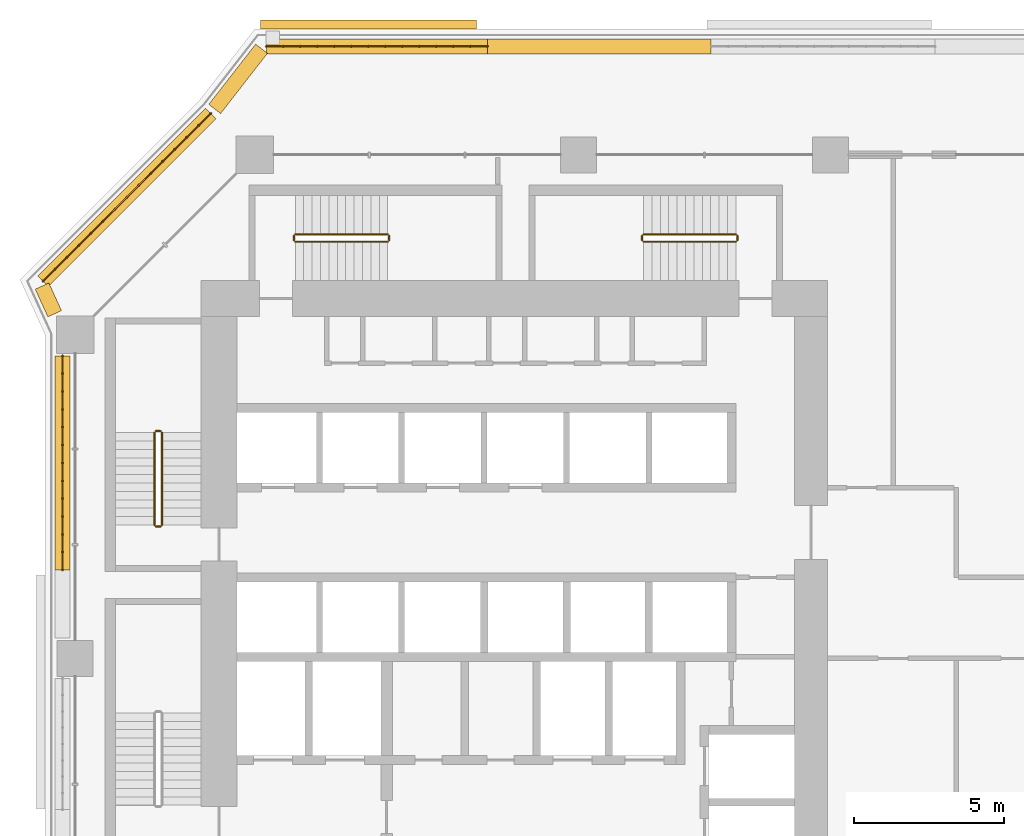
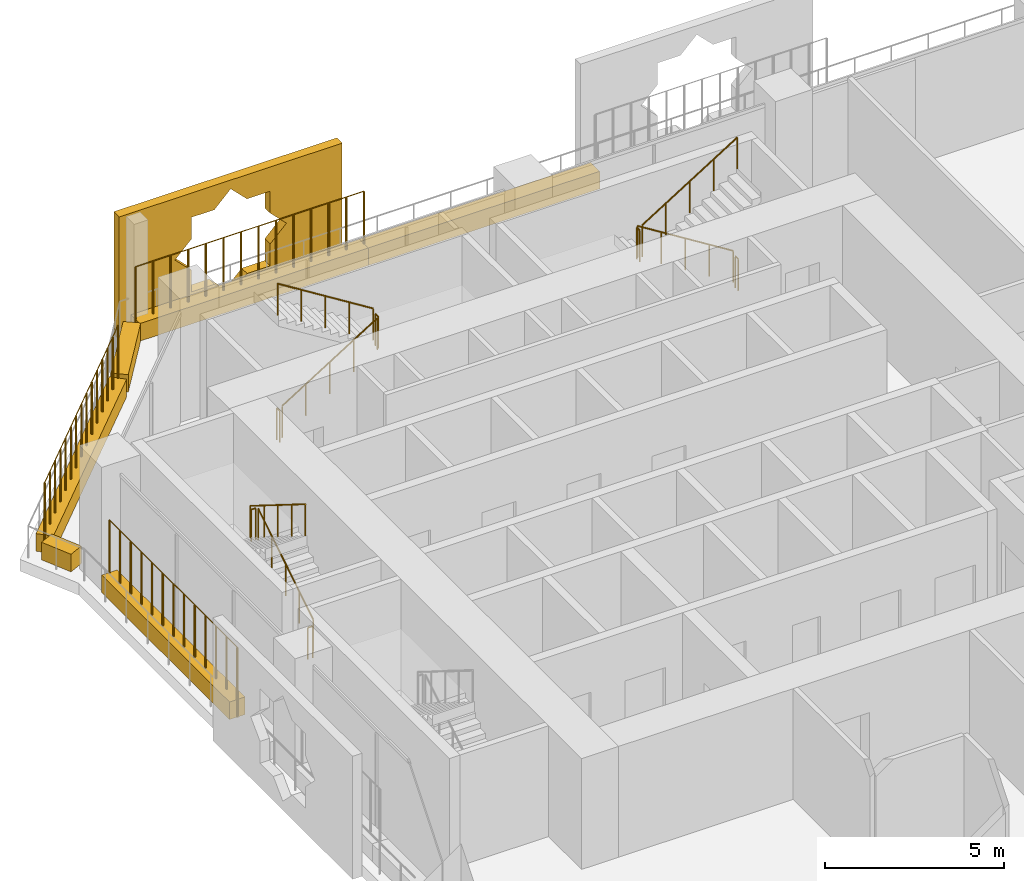
# One storey, part 26 of 28: 15 railings, 7 coverings.
"""IFC4 building model written with IfcOpenShell, lengths in metres."""

import ifcopenshell
import ifcopenshell.guid

model = None  # the IFC model being written
_history = None  # IfcOwnerHistory: only IFC2X3 demands one
_inside = {}  # id of a spatial element -> (the spatial element, [elements in it])
_under = {}  # id of a project, library or spatial element -> (it, [spatial elements below it])
_declared = {}  # id of a project -> (the project, [libraries it declares])
_typed = {}  # id of a type object -> (the type object, [elements of that type])
_made_of = {}  # id of a material, layer set ... -> (it, [elements and type objects made of it])


def new_model(schema):
    """Start an empty IFC model of exactly this schema.

    Asked for "IFC4X3", IfcOpenShell would pick the latest addendum, in which some entities
    have other attributes; the version numbers below select the first issue.
    IFC2X3 requires an IfcOwnerHistory on every rooted entity: one is made here for all.
    """
    global model, _history
    if schema == "IFC4X3":
        model = ifcopenshell.file(schema_version=(4, 3, 0, 0))
    else:
        model = ifcopenshell.file(schema=schema)
    _inside.clear()
    _under.clear()
    _declared.clear()
    _typed.clear()
    _made_of.clear()
    _history = None
    if model.schema == "IFC2X3":
        org = make("IfcOrganization", Name="unknown")
        user = make(
            "IfcPersonAndOrganization",
            ThePerson=make("IfcPerson", FamilyName="unknown"),
            TheOrganization=org,
        )
        app = make(
            "IfcApplication",
            ApplicationDeveloper=org,
            Version="unknown",
            ApplicationFullName="unknown",
            ApplicationIdentifier="unknown",
        )
        _history = make(
            "IfcOwnerHistory",
            OwningUser=user,
            OwningApplication=app,
            ChangeAction="ADDED",
            CreationDate=0,
        )
    return model


def make(cls, **values):
    """One entity of the class cls with the attributes given. An attribute that is None is left unset."""
    return model.create_entity(
        cls, **{name: value for name, value in values.items() if value is not None}
    )


def rooted(cls, **values):
    """An entity with a GlobalId (a new one), such as an element, a storey or a relation."""
    return make(cls, GlobalId=ifcopenshell.guid.new(), OwnerHistory=_history, **values)


def si_unit(unit_type, name, prefix=None):
    """IfcSIUnit, for example si_unit("LENGTHUNIT", "METRE", prefix="MILLI")."""
    return make("IfcSIUnit", UnitType=unit_type, Prefix=prefix, Name=name)


def assignment(units):
    """IfcUnitAssignment: the units of a project."""
    return None if units is None else make("IfcUnitAssignment", Units=units)


def point(xyz):
    """IfcCartesianPoint."""
    return None if xyz is None else make("IfcCartesianPoint", Coordinates=xyz)


def direction(xyz):
    """IfcDirection."""
    return None if xyz is None else make("IfcDirection", DirectionRatios=xyz)


def frame(location, z_axis=None, x_axis=None):
    """IfcAxis2Placement3D, a coordinate frame: its origin and axes. An axis left out is left unset."""
    return make(
        "IfcAxis2Placement3D",
        Location=point(location),
        Axis=direction(z_axis),
        RefDirection=direction(x_axis),
    )


def frame_2d(location, x_axis=None):
    """IfcAxis2Placement2D, a coordinate frame in the plane: its origin and x axis."""
    return make(
        "IfcAxis2Placement2D", Location=point(location), RefDirection=direction(x_axis)
    )


def origin():
    """The frame at (0, 0, 0) with its axes left unset."""
    return frame((0.0, 0.0, 0.0))


def origin_2d():
    """The frame at (0, 0) in the plane with its x axis left unset."""
    return frame_2d((0.0, 0.0))


def place(relative_to, where):
    """IfcLocalPlacement: puts the frame where relative to a parent placement (None: the world)."""
    return make(
        "IfcLocalPlacement", PlacementRelTo=relative_to, RelativePlacement=where
    )


def context(
    kind, dimensions, precision=None, world=None, true_north=None, identifier=None
):
    """IfcGeometricRepresentationContext, for example the 3D "Model" context."""
    return make(
        "IfcGeometricRepresentationContext",
        ContextIdentifier=identifier,
        ContextType=kind,
        CoordinateSpaceDimension=dimensions,
        Precision=precision,
        WorldCoordinateSystem=world,
        TrueNorth=true_north,
    )


def subcontext(parent, identifier, kind, view, scale=None):
    """IfcGeometricRepresentationSubContext, for example "Body" below "Model"."""
    return make(
        "IfcGeometricRepresentationSubContext",
        ContextIdentifier=identifier,
        ContextType=kind,
        ParentContext=parent,
        TargetScale=scale,
        TargetView=view,
    )


def project(units=None, contexts=None):
    """IfcProject with its units and contexts."""
    return rooted(
        "IfcProject",
        Name="project",
        RepresentationContexts=contexts,
        UnitsInContext=assignment(units),
    )


def spatial(cls, under=None, at=None, **own):
    """A site, building, storey or space (cls), placed at a placement, below another one or the project."""
    s = rooted(cls, ObjectPlacement=at, **own)
    if under is not None:
        _under.setdefault(under.id(), (under, []))[1].append(s)
    return s


def polyline(points):
    """IfcPolyline through the points."""
    return make("IfcPolyline", Points=[point(p) for p in points])


def profile(cls, at=None, kind="AREA", **sizes):
    """A parametric profile (cls). Its sizes go by their IFC names, for example OverallWidth=200.0."""
    return make(cls, ProfileType=kind, Position=at, **sizes)


def rectangle(**sizes):
    """IfcRectangleProfileDef."""
    return profile("IfcRectangleProfileDef", **sizes)


def circle(**sizes):
    """IfcCircleProfileDef."""
    return profile("IfcCircleProfileDef", **sizes)


def outline(outer, holes=None, kind="AREA"):
    """IfcArbitraryClosedProfileDef: a profile drawn as a closed curve; with holes, ...WithVoids."""
    if holes is None:
        return make("IfcArbitraryClosedProfileDef", ProfileType=kind, OuterCurve=outer)
    return make(
        "IfcArbitraryProfileDefWithVoids",
        ProfileType=kind,
        OuterCurve=outer,
        InnerCurves=holes,
    )


def extrude(swept, where, along, depth):
    """IfcExtrudedAreaSolid: the profile swept, set in the frame where, extruded along a direction by depth."""
    return make(
        "IfcExtrudedAreaSolid",
        SweptArea=swept,
        Position=where,
        ExtrudedDirection=direction(along),
        Depth=depth,
    )


def shape(context_of_items, identifier, shape_type, items):
    """IfcShapeRepresentation: the items that make up one representation, for example the "Body"."""
    return make(
        "IfcShapeRepresentation",
        ContextOfItems=context_of_items,
        RepresentationIdentifier=identifier,
        RepresentationType=shape_type,
        Items=items,
    )


def material(Name=None, Category=None):
    """IfcMaterial."""
    return make("IfcMaterial", Name=Name, Category=Category)


def material_profile(
    of_material, cross_section, Name=None, Category=None, Priority=None
):
    """IfcMaterialProfile: a cross section and its material."""
    return make(
        "IfcMaterialProfile",
        Name=Name,
        Material=of_material,
        Profile=cross_section,
        Priority=Priority,
        Category=Category,
    )


def profile_set(profiles, Name=None, composite=None):
    """IfcMaterialProfileSet."""
    return make(
        "IfcMaterialProfileSet",
        Name=Name,
        MaterialProfiles=profiles,
        CompositeProfile=composite,
    )


def made_of(thing, what):
    """Note that an element or type object is made of a material, layer set ...; save() writes the relation."""
    if what is not None:
        _made_of.setdefault(what.id(), (what, []))[1].append(thing)
    return thing


def type_object(cls, material=None, **own):
    """A type object (cls), such as IfcWallType, which elements share."""
    return made_of(rooted(cls, **own), material)


def element(
    cls,
    number,
    at=None,
    inside=None,
    cuts=None,
    type_object=None,
    material=None,
    context=None,
    identifier="Body",
    shape_type=None,
    held_by="IfcProductDefinitionShape",
    body=None,
    shapes=None,
    **own,
):
    """One element of the class cls, such as IfcWall. Its Tag is "e" and its number.

    at: its placement. inside: the storey or other place that contains it. cuts: it is an
    opening in that element (IfcRelVoidsElement). A single representation is given by context,
    identifier, shape_type and body (its items); several are given by shapes. held_by: the class
    of the entity that holds the representations. save() writes the other relations.
    """
    e = rooted(cls, Tag="e%d" % number, ObjectPlacement=at, **own)
    if body is not None:
        shapes = [shape(context, identifier, shape_type, body)]
    if shapes is not None:
        e.Representation = make(held_by, Representations=shapes)
    if inside is not None:
        _inside.setdefault(inside.id(), (inside, []))[1].append(e)
    if cuts is not None:
        rooted(
            "IfcRelVoidsElement", RelatingBuildingElement=cuts, RelatedOpeningElement=e
        )
    if type_object is not None:
        _typed.setdefault(type_object.id(), (type_object, []))[1].append(e)
    return made_of(e, material)


def aggregate(whole, parts):
    """IfcRelAggregates: a whole, such as a stair, and the parts it consists of."""
    return rooted("IfcRelAggregates", RelatingObject=whole, RelatedObjects=parts)


def save(model, path):
    """Write the relations noted so far, then the file.

    IfcRelAggregates (storeys below a building ...), IfcRelContainedInSpatialStructure (elements
    in a storey), IfcRelDefinesByType, IfcRelAssociatesMaterial and IfcRelDeclares: one each for
    every whole, place, type object, material and project.
    """
    for whole, parts in _under.values():
        aggregate(whole, parts)
    for where, things in _inside.values():
        rooted(
            "IfcRelContainedInSpatialStructure",
            RelatedElements=things,
            RelatingStructure=where,
        )
    for kind, things in _typed.values():
        rooted("IfcRelDefinesByType", RelatedObjects=things, RelatingType=kind)
    for what, things in _made_of.values():
        rooted("IfcRelAssociatesMaterial", RelatedObjects=things, RelatingMaterial=what)
    for by, libraries in _declared.values():
        rooted("IfcRelDeclares", RelatingContext=by, RelatedDefinitions=libraries)
    model.write(path)


model = new_model("IFC4")

# Units and contexts
model_context = context("Model", 3, precision=1e-05, world=origin(), true_north=direction((0.0, 1.0)))
body_context = subcontext(model_context, "Body", "Model", "MODEL_VIEW")
ifc_project = project(units=[si_unit("LENGTHUNIT", "METRE"), si_unit("AREAUNIT", "SQUARE_METRE"), si_unit("VOLUMEUNIT", "CUBIC_METRE"), si_unit("PLANEANGLEUNIT", "RADIAN"), si_unit("MASSUNIT", "GRAM", prefix="KILO")], contexts=[model_context])

# Site, building, storey
site_placement = place(None, origin())
site = spatial("IfcSite", under=ifc_project, at=site_placement, CompositionType="ELEMENT")
building_placement = place(site_placement, origin())
building = spatial("IfcBuilding", under=site, at=building_placement, Name="Kawkab Arch Medical Tower", CompositionType="ELEMENT")
storey_placement = place(building_placement, frame((0.0, 0.0, 47.60009765625)))
storey = spatial("IfcBuildingStorey", under=building, at=storey_placement, Name="L10", CompositionType="ELEMENT", Elevation=47.60009765625)

# Coverings
ifc_material_1 = material(Name="Bronze anodised aluminium mashrabiya panel, eight-point star pattern", Category="aluminium")
ifc_material_profile_1 = material_profile(ifc_material_1, outline(polyline([(-3.60009765625, -2.10009765625), (3.60009765625, -2.10009765625), (3.60009765625, 2.10009765625), (-3.60009765625, 2.10009765625), (-3.60009765625, -2.10009765625)]), holes=[polyline([(1.800048828125, 0.0), (1.272705078125, 0.527099609375), (1.272705078125, 1.272705078125), (0.527099609375, 1.272705078125), (0.0, 1.800048828125), (-0.527099609375, 1.272705078125), (-1.272705078125, 1.272705078125), (-1.272705078125, 0.527099609375), (-1.800048828125, 0.0), (-1.272705078125, -0.527099609375), (-1.272705078125, -1.272705078125), (-0.527099609375, -1.272705078125), (0.0, -1.800048828125), (0.527099609375, -1.272705078125), (1.272705078125, -1.272705078125), (1.272705078125, -0.527099609375), (1.800048828125, 0.0)])]), Name="Mashrabiya panel 7200x4200")
ifc_profile_set_1 = profile_set([ifc_material_profile_1], Name="Bronze anodised aluminium mashrabiya panel, eight-point star pattern")
covering_type_1 = type_object("IfcCoveringType", Name="Mashrabiya panel 7200 x 4200", PredefinedType="USERDEFINED", material=ifc_profile_set_1)
covering_1_placement = place(storey_placement, frame((9.791015625, 4.199951171875, 1.699951171875), z_axis=(0.0, 1.0, 0.0), x_axis=(-1.0, 0.0, 0.0)))
element("IfcCovering", 1, at=covering_1_placement, inside=storey, type_object=covering_type_1, Name="Mashrabiya panel L10.LOG-01-02.4", ObjectType="SCREEN", PredefinedType="USERDEFINED", context=body_context, shape_type="SweptSolid", body=[
    extrude(outline(polyline([(-3.60009765625, -2.10009765625), (3.60009765625, -2.10009765625), (3.60009765625, 2.10009765625), (-3.60009765625, 2.10009765625), (-3.60009765625, -2.10009765625)]), holes=[polyline([(1.800048828125, 0.0), (1.272705078125, 0.527099609375), (1.272705078125, 1.272705078125), (0.527099609375, 1.272705078125), (0.0, 1.800048828125), (-0.527099609375, 1.272705078125), (-1.272705078125, 1.272705078125), (-1.272705078125, 0.527099609375), (-1.800048828125, 0.0), (-1.272705078125, -0.527099609375), (-1.272705078125, -1.272705078125), (-0.527099609375, -1.272705078125), (0.0, -1.800048828125), (0.527099609375, -1.272705078125), (1.272705078125, -1.272705078125), (1.272705078125, -0.527099609375), (1.800048828125, 0.0)])]), origin(), (0.0, 0.0, 1.0), 0.300048828125),
])
ifc_material_2 = material(Name="Planting soil in a precast trough", Category="concrete")
ifc_material_profile_2 = material_profile(ifc_material_2, rectangle(XDim=0.5, YDim=0.60009765625, at=origin_2d()), Name="Trough 500x600")
ifc_profile_set_2 = profile_set([ifc_material_profile_2], Name="Planting soil in a precast trough")
covering_type_2 = type_object("IfcCoveringType", Name="Planter trough 500 x 600", PredefinedType="USERDEFINED", material=ifc_profile_set_2)
covering_2_placement = place(storey_placement, frame((-0.419921875, -13.85595703125, 0.2998046875), z_axis=(0.0, 1.0, 0.0), x_axis=(-1.0, 0.0, 0.0)))
element("IfcCovering", 2, at=covering_2_placement, inside=storey, type_object=covering_type_2, Name="Planter L10.LOG-01-02.21", ObjectType="PLANTER", PredefinedType="USERDEFINED", context=body_context, shape_type="SweptSolid", body=[
    extrude(rectangle(XDim=0.5, YDim=0.60009765625, at=origin_2d()), origin(), (0.0, 0.0, 1.0), 7.15087890625),
])
covering_3_placement = place(storey_placement, frame((-0.680908203125, -5.302001953125, 0.2998046875), z_axis=(-0.415071571878, 0.909788761317, 0.0), x_axis=(-0.909788761317, -0.415071571878, 0.0)))
element("IfcCovering", 3, at=covering_3_placement, inside=storey, type_object=covering_type_2, Name="Planter L10.LOG-01-02.22", ObjectType="PLANTER", PredefinedType="USERDEFINED", context=body_context, shape_type="SweptSolid", body=[
    extrude(rectangle(XDim=0.5, YDim=0.60009765625, at=origin_2d()), origin(), (0.0, 0.0, 1.0), 1.0146484375),
])
covering_4_placement = place(storey_placement, frame((-1.072998046875, -4.217041015625, 0.2998046875), z_axis=(0.707106781187, 0.707106781187, 0.0), x_axis=(-0.707106781187, 0.707106781187, 0.0)))
element("IfcCovering", 4, at=covering_4_placement, inside=storey, type_object=covering_type_2, Name="Planter L10.LOG-01-02.23", ObjectType="PLANTER", PredefinedType="USERDEFINED", context=body_context, shape_type="SweptSolid", body=[
    extrude(rectangle(XDim=0.5, YDim=0.60009765625, at=origin_2d()), origin(), (0.0, 0.0, 1.0), 7.919677734375),
])
covering_5_placement = place(storey_placement, frame((4.658935546875, 1.531982421875, 0.2998046875), z_axis=(0.61404021143, 0.789274742246, 0.0), x_axis=(-0.789274742246, 0.61404021143, 0.0)))
element("IfcCovering", 5, at=covering_5_placement, inside=storey, type_object=covering_type_2, Name="Planter L10.LOG-01-02.24", ObjectType="PLANTER", PredefinedType="USERDEFINED", context=body_context, shape_type="SweptSolid", body=[
    extrude(rectangle(XDim=0.5, YDim=0.60009765625, at=origin_2d()), origin(), (0.0, 0.0, 1.0), 2.54541015625),
])
covering_6_placement = place(storey_placement, frame((6.384033203125, 3.6201171875, 0.2998046875), z_axis=(1.0, 0.0, 0.0), x_axis=(0.0, 1.0, 0.0)))
element("IfcCovering", 6, at=covering_6_placement, inside=storey, type_object=covering_type_2, Name="Planter L10.LOG-01-02.25", ObjectType="PLANTER", PredefinedType="USERDEFINED", context=body_context, shape_type="SweptSolid", body=[
    extrude(rectangle(XDim=0.5, YDim=0.60009765625, at=origin_2d()), origin(), (0.0, 0.0, 1.0), 7.369873046875),
])
covering_7_placement = place(storey_placement, frame((13.75390625, 3.6201171875, 0.2998046875), z_axis=(1.0, 0.0, 0.0), x_axis=(0.0, 1.0, 0.0)))
element("IfcCovering", 7, at=covering_7_placement, inside=storey, type_object=covering_type_2, Name="Planter L10.LOG-01-02.26", ObjectType="PLANTER", PredefinedType="USERDEFINED", context=body_context, shape_type="SweptSolid", body=[
    extrude(rectangle(XDim=0.5, YDim=0.60009765625, at=origin_2d()), origin(), (0.0, 0.0, 1.0), 7.47021484375),
])

# Railings
ifc_material_3 = material(Name="Bronze anodised aluminium trellis for climbing plants", Category="aluminium")
railing_type_1 = type_object("IfcRailingType", Name="Planting trellis 2400", PredefinedType="USERDEFINED", material=ifc_material_3)
railing_1_placement = place(storey_placement, frame((-0.419921875, -13.85595703125, 0.0)))
element("IfcRailing", 8, at=railing_1_placement, inside=storey, type_object=railing_type_1, Name="Planting trellis L10.LOG-01-02.21", ObjectType="TRELLIS", PredefinedType="USERDEFINED", context=body_context, shape_type="SweptSolid", body=[
    extrude(circle(Radius=0.01513671875, at=origin_2d()), frame((0.0, 0.0, 2.384765625), z_axis=(0.0, 1.0, 0.0), x_axis=(-1.0, 0.0, 0.0)), (0.0, 0.0, 1.0), 7.15087890625),
    extrude(circle(Radius=0.030029296875, at=origin_2d()), origin(), (0.0, 0.0, 1.0), 2.369873046875),
    extrude(circle(Radius=0.030029296875, at=origin_2d()), frame((0.0, 0.595947265625, 0.0)), (0.0, 0.0, 1.0), 2.369873046875),
    extrude(circle(Radius=0.030029296875, at=origin_2d()), frame((0.0, 1.19189453125, 0.0)), (0.0, 0.0, 1.0), 2.369873046875),
    extrude(circle(Radius=0.030029296875, at=origin_2d()), frame((0.0, 1.78759765625, 0.0)), (0.0, 0.0, 1.0), 2.369873046875),
    extrude(circle(Radius=0.030029296875, at=origin_2d()), frame((0.0, 2.383544921875, 0.0)), (0.0, 0.0, 1.0), 2.369873046875),
    extrude(circle(Radius=0.030029296875, at=origin_2d()), frame((0.0, 2.9794921875, 0.0)), (0.0, 0.0, 1.0), 2.369873046875),
    extrude(circle(Radius=0.030029296875, at=origin_2d()), frame((0.0, 3.575439453125, 0.0)), (0.0, 0.0, 1.0), 2.369873046875),
    extrude(circle(Radius=0.030029296875, at=origin_2d()), frame((0.0, 4.17138671875, 0.0)), (0.0, 0.0, 1.0), 2.369873046875),
    extrude(circle(Radius=0.030029296875, at=origin_2d()), frame((0.0, 4.767333984375, 0.0)), (0.0, 0.0, 1.0), 2.369873046875),
    extrude(circle(Radius=0.030029296875, at=origin_2d()), frame((0.0, 5.36328125, 0.0)), (0.0, 0.0, 1.0), 2.369873046875),
    extrude(circle(Radius=0.030029296875, at=origin_2d()), frame((0.0, 5.958984375, 0.0)), (0.0, 0.0, 1.0), 2.369873046875),
    extrude(circle(Radius=0.030029296875, at=origin_2d()), frame((0.0, 6.554931640625, 0.0)), (0.0, 0.0, 1.0), 2.369873046875),
    extrude(circle(Radius=0.030029296875, at=origin_2d()), frame((0.0, 7.15087890625, 0.0)), (0.0, 0.0, 1.0), 2.369873046875),
])
railing_2_placement = place(storey_placement, frame((-1.072998046875, -4.217041015625, 0.0)))
element("IfcRailing", 9, at=railing_2_placement, inside=storey, type_object=railing_type_1, Name="Planting trellis L10.LOG-01-02.23", ObjectType="TRELLIS", PredefinedType="USERDEFINED", context=body_context, shape_type="SweptSolid", body=[
    extrude(circle(Radius=0.01513671875, at=origin_2d()), frame((0.0, 0.0, 2.384765625), z_axis=(0.707106781187, 0.707106781187, 0.0), x_axis=(-0.707106781187, 0.707106781187, 0.0)), (0.0, 0.0, 1.0), 7.919677734375),
    extrude(circle(Radius=0.030029296875, at=origin_2d()), origin(), (0.0, 0.0, 1.0), 2.369873046875),
    extrude(circle(Radius=0.030029296875, at=origin_2d()), frame((0.39990234375, 0.39990234375, 0.0)), (0.0, 0.0, 1.0), 2.369873046875),
    extrude(circle(Radius=0.030029296875, at=origin_2d()), frame((0.800048828125, 0.800048828125, 0.0)), (0.0, 0.0, 1.0), 2.369873046875),
    extrude(circle(Radius=0.030029296875, at=origin_2d()), frame((1.199951171875, 1.199951171875, 0.0)), (0.0, 0.0, 1.0), 2.369873046875),
    extrude(circle(Radius=0.030029296875, at=origin_2d()), frame((1.60009765625, 1.60009765625, 0.0)), (0.0, 0.0, 1.0), 2.369873046875),
    extrude(circle(Radius=0.030029296875, at=origin_2d()), frame((2.0, 2.0, 0.0)), (0.0, 0.0, 1.0), 2.369873046875),
    extrude(circle(Radius=0.030029296875, at=origin_2d()), frame((2.400146484375, 2.400146484375, 0.0)), (0.0, 0.0, 1.0), 2.369873046875),
    extrude(circle(Radius=0.030029296875, at=origin_2d()), frame((2.800048828125, 2.800048828125, 0.0)), (0.0, 0.0, 1.0), 2.369873046875),
    extrude(circle(Radius=0.030029296875, at=origin_2d()), frame((3.199951171875, 3.199951171875, 0.0)), (0.0, 0.0, 1.0), 2.369873046875),
    extrude(circle(Radius=0.030029296875, at=origin_2d()), frame((3.60009765625, 3.60009765625, 0.0)), (0.0, 0.0, 1.0), 2.369873046875),
    extrude(circle(Radius=0.030029296875, at=origin_2d()), frame((4.0, 4.0, 0.0)), (0.0, 0.0, 1.0), 2.369873046875),
    extrude(circle(Radius=0.030029296875, at=origin_2d()), frame((4.400146484375, 4.400146484375, 0.0)), (0.0, 0.0, 1.0), 2.369873046875),
    extrude(circle(Radius=0.030029296875, at=origin_2d()), frame((4.800048828125, 4.800048828125, 0.0)), (0.0, 0.0, 1.0), 2.369873046875),
    extrude(circle(Radius=0.030029296875, at=origin_2d()), frame((5.2001953125, 5.2001953125, 0.0)), (0.0, 0.0, 1.0), 2.369873046875),
    extrude(circle(Radius=0.030029296875, at=origin_2d()), frame((5.60009765625, 5.60009765625, 0.0)), (0.0, 0.0, 1.0), 2.369873046875),
])
railing_3_placement = place(storey_placement, frame((6.384033203125, 3.6201171875, 0.0)))
element("IfcRailing", 10, at=railing_3_placement, inside=storey, type_object=railing_type_1, Name="Planting trellis L10.LOG-01-02.25", ObjectType="TRELLIS", PredefinedType="USERDEFINED", context=body_context, shape_type="SweptSolid", body=[
    extrude(circle(Radius=0.01513671875, at=origin_2d()), frame((0.0, 0.0, 2.384765625), z_axis=(1.0, 0.0, 0.0), x_axis=(0.0, 1.0, 0.0)), (0.0, 0.0, 1.0), 7.369873046875),
    extrude(circle(Radius=0.030029296875, at=origin_2d()), origin(), (0.0, 0.0, 1.0), 2.369873046875),
    extrude(circle(Radius=0.030029296875, at=origin_2d()), frame((0.56689453125, 0.0, 0.0)), (0.0, 0.0, 1.0), 2.369873046875),
    extrude(circle(Radius=0.030029296875, at=origin_2d()), frame((1.1337890625, 0.0, 0.0)), (0.0, 0.0, 1.0), 2.369873046875),
    extrude(circle(Radius=0.030029296875, at=origin_2d()), frame((1.70068359375, 0.0, 0.0)), (0.0, 0.0, 1.0), 2.369873046875),
    extrude(circle(Radius=0.030029296875, at=origin_2d()), frame((2.267578125, 0.0, 0.0)), (0.0, 0.0, 1.0), 2.369873046875),
    extrude(circle(Radius=0.030029296875, at=origin_2d()), frame((2.83447265625, 0.0, 0.0)), (0.0, 0.0, 1.0), 2.369873046875),
    extrude(circle(Radius=0.030029296875, at=origin_2d()), frame((3.4013671875, 0.0, 0.0)), (0.0, 0.0, 1.0), 2.369873046875),
    extrude(circle(Radius=0.030029296875, at=origin_2d()), frame((3.968505859375, 0.0, 0.0)), (0.0, 0.0, 1.0), 2.369873046875),
    extrude(circle(Radius=0.030029296875, at=origin_2d()), frame((4.535400390625, 0.0, 0.0)), (0.0, 0.0, 1.0), 2.369873046875),
    extrude(circle(Radius=0.030029296875, at=origin_2d()), frame((5.102294921875, 0.0, 0.0)), (0.0, 0.0, 1.0), 2.369873046875),
    extrude(circle(Radius=0.030029296875, at=origin_2d()), frame((5.669189453125, 0.0, 0.0)), (0.0, 0.0, 1.0), 2.369873046875),
    extrude(circle(Radius=0.030029296875, at=origin_2d()), frame((6.236083984375, 0.0, 0.0)), (0.0, 0.0, 1.0), 2.369873046875),
    extrude(circle(Radius=0.030029296875, at=origin_2d()), frame((6.802978515625, 0.0, 0.0)), (0.0, 0.0, 1.0), 2.369873046875),
    extrude(circle(Radius=0.030029296875, at=origin_2d()), frame((7.369873046875, 0.0, 0.0)), (0.0, 0.0, 1.0), 2.369873046875),
])
ifc_material_4 = material(Name="Stainless steel", Category="steel")
railing_type_2 = type_object("IfcRailingType", Name="Stair guard 1100", PredefinedType="GUARDRAIL", material=ifc_material_4)
railing_4_placement = place(storey_placement, frame((2.89990234375, -12.35009765625, 0.1748046875)))
element("IfcRailing", 11, at=railing_4_placement, inside=storey, type_object=railing_type_2, Name="L10 ST1 stair guard 1", PredefinedType="GUARDRAIL", context=body_context, shape_type="SweptSolid", body=[
    extrude(circle(Radius=0.02392578125, at=origin_2d()), frame((0.0, 0.0, 1.076171875), z_axis=(0.0, 0.847998304005, 0.529998940003), x_axis=(-1.0, 0.0, 0.0)), (0.0, 0.0, 1.0), 3.632080078125),
    extrude(circle(Radius=0.02099609375, at=origin_2d()), origin(), (0.0, 0.0, 1.0), 1.052001953125),
    extrude(circle(Radius=0.02099609375, at=origin_2d()), frame((0.0, 0.77001953125, 0.481201171875)), (0.0, 0.0, 1.0), 1.052001953125),
    extrude(circle(Radius=0.02099609375, at=origin_2d()), frame((0.0, 1.5400390625, 0.96240234375)), (0.0, 0.0, 1.0), 1.052001953125),
    extrude(circle(Radius=0.02099609375, at=origin_2d()), frame((0.0, 2.31005859375, 1.44384765625)), (0.0, 0.0, 1.0), 1.052001953125),
    extrude(circle(Radius=0.02099609375, at=origin_2d()), frame((0.0, 3.080078125, 1.925048828125)), (0.0, 0.0, 1.0), 1.052001953125),
])
railing_5_placement = place(storey_placement, frame((2.85009765625, -9.219970703125, 2.099853515625)))
element("IfcRailing", 12, at=railing_5_placement, inside=storey, type_object=railing_type_2, Name="L10 ST1 stair guard 2", PredefinedType="GUARDRAIL", context=body_context, shape_type="SweptSolid", body=[
    extrude(circle(Radius=0.02392578125, at=origin_2d()), frame((0.0, 0.0, 1.076171875), z_axis=(-1.0, 0.0, 0.0), x_axis=(0.0, -1.0, 0.0)), (0.0, 0.0, 1.0), 0.150146484375),
    extrude(circle(Radius=0.02099609375, at=origin_2d()), origin(), (0.0, 0.0, 1.0), 1.052001953125),
    extrude(circle(Radius=0.02099609375, at=origin_2d()), frame((-0.150146484375, 0.0, 0.0)), (0.0, 0.0, 1.0), 1.052001953125),
])
railing_6_placement = place(storey_placement, frame((2.64990234375, -9.27001953125, 2.27490234375)))
element("IfcRailing", 13, at=railing_6_placement, inside=storey, type_object=railing_type_2, Name="L10 ST1 stair guard 3", PredefinedType="GUARDRAIL", context=body_context, shape_type="SweptSolid", body=[
    extrude(circle(Radius=0.02392578125, at=origin_2d()), frame((0.0, 0.0, 1.076171875), z_axis=(0.0, -0.847998304005, 0.529998940003), x_axis=(1.0, 0.0, 0.0)), (0.0, 0.0, 1.0), 3.632080078125),
    extrude(circle(Radius=0.02099609375, at=origin_2d()), origin(), (0.0, 0.0, 1.0), 1.052001953125),
    extrude(circle(Radius=0.02099609375, at=origin_2d()), frame((0.0, -0.77001953125, 0.481201171875)), (0.0, 0.0, 1.0), 1.052001953125),
    extrude(circle(Radius=0.02099609375, at=origin_2d()), frame((0.0, -1.5400390625, 0.96240234375)), (0.0, 0.0, 1.0), 1.052001953125),
    extrude(circle(Radius=0.02099609375, at=origin_2d()), frame((0.0, -2.31005859375, 1.44384765625)), (0.0, 0.0, 1.0), 1.052001953125),
    extrude(circle(Radius=0.02099609375, at=origin_2d()), frame((0.0, -3.080078125, 1.925048828125)), (0.0, 0.0, 1.0), 1.052001953125),
])
railing_7_placement = place(storey_placement, frame((2.85009765625, -12.39990234375, 0.0)))
element("IfcRailing", 14, at=railing_7_placement, inside=storey, type_object=railing_type_2, Name="L10 ST1 stair guard 4", PredefinedType="GUARDRAIL", context=body_context, shape_type="SweptSolid", body=[
    extrude(circle(Radius=0.02392578125, at=origin_2d()), frame((0.0, 0.0, 1.076171875), z_axis=(-1.0, 0.0, 0.0), x_axis=(0.0, -1.0, 0.0)), (0.0, 0.0, 1.0), 0.150146484375),
    extrude(circle(Radius=0.02099609375, at=origin_2d()), origin(), (0.0, 0.0, 1.0), 1.052001953125),
    extrude(circle(Radius=0.02099609375, at=origin_2d()), frame((-0.150146484375, 0.0, 0.0)), (0.0, 0.0, 1.0), 1.052001953125),
])
railing_8_placement = place(storey_placement, frame((7.35009765625, -2.89990234375, 0.1748046875)))
element("IfcRailing", 15, at=railing_8_placement, inside=storey, type_object=railing_type_2, Name="L10 ST3 stair guard 1", PredefinedType="GUARDRAIL", context=body_context, shape_type="SweptSolid", body=[
    extrude(circle(Radius=0.02392578125, at=origin_2d()), frame((0.0, 0.0, 1.076171875), z_axis=(0.847979421464, 0.0, 0.530029150871), x_axis=(0.0, 1.0, 0.0)), (0.0, 0.0, 1.0), 3.632080078125),
    extrude(circle(Radius=0.02099609375, at=origin_2d()), origin(), (0.0, 0.0, 1.0), 1.052001953125),
    extrude(circle(Radius=0.02099609375, at=origin_2d()), frame((0.77001953125, 0.0, 0.481201171875)), (0.0, 0.0, 1.0), 1.052001953125),
    extrude(circle(Radius=0.02099609375, at=origin_2d()), frame((1.5400390625, 0.0, 0.96240234375)), (0.0, 0.0, 1.0), 1.052001953125),
    extrude(circle(Radius=0.02099609375, at=origin_2d()), frame((2.309814453125, 0.0, 1.44384765625)), (0.0, 0.0, 1.0), 1.052001953125),
    extrude(circle(Radius=0.02099609375, at=origin_2d()), frame((3.079833984375, 0.0, 1.925048828125)), (0.0, 0.0, 1.0), 1.052001953125),
])
railing_9_placement = place(storey_placement, frame((10.47998046875, -2.85009765625, 2.099853515625)))
element("IfcRailing", 16, at=railing_9_placement, inside=storey, type_object=railing_type_2, Name="L10 ST3 stair guard 2", PredefinedType="GUARDRAIL", context=body_context, shape_type="SweptSolid", body=[
    extrude(circle(Radius=0.02392578125, at=origin_2d()), frame((0.0, 0.0, 1.076171875), z_axis=(0.0, 1.0, 0.0), x_axis=(-1.0, 0.0, 0.0)), (0.0, 0.0, 1.0), 0.150146484375),
    extrude(circle(Radius=0.02099609375, at=origin_2d()), origin(), (0.0, 0.0, 1.0), 1.052001953125),
    extrude(circle(Radius=0.02099609375, at=origin_2d()), frame((0.0, 0.150146484375, 0.0)), (0.0, 0.0, 1.0), 1.052001953125),
])
railing_10_placement = place(storey_placement, frame((10.429931640625, -2.64990234375, 2.27490234375)))
element("IfcRailing", 17, at=railing_10_placement, inside=storey, type_object=railing_type_2, Name="L10 ST3 stair guard 3", PredefinedType="GUARDRAIL", context=body_context, shape_type="SweptSolid", body=[
    extrude(circle(Radius=0.02392578125, at=origin_2d()), frame((0.0, 0.0, 1.076171875), z_axis=(-0.847979421464, 0.0, 0.530029150871), x_axis=(0.0, -1.0, 0.0)), (0.0, 0.0, 1.0), 3.632080078125),
    extrude(circle(Radius=0.02099609375, at=origin_2d()), origin(), (0.0, 0.0, 1.0), 1.052001953125),
    extrude(circle(Radius=0.02099609375, at=origin_2d()), frame((-0.77001953125, 0.0, 0.481201171875)), (0.0, 0.0, 1.0), 1.052001953125),
    extrude(circle(Radius=0.02099609375, at=origin_2d()), frame((-1.5400390625, 0.0, 0.96240234375)), (0.0, 0.0, 1.0), 1.052001953125),
    extrude(circle(Radius=0.02099609375, at=origin_2d()), frame((-2.309814453125, 0.0, 1.44384765625)), (0.0, 0.0, 1.0), 1.052001953125),
    extrude(circle(Radius=0.02099609375, at=origin_2d()), frame((-3.079833984375, 0.0, 1.925048828125)), (0.0, 0.0, 1.0), 1.052001953125),
])
railing_11_placement = place(storey_placement, frame((7.300048828125, -2.85009765625, 0.0)))
element("IfcRailing", 18, at=railing_11_placement, inside=storey, type_object=railing_type_2, Name="L10 ST3 stair guard 4", PredefinedType="GUARDRAIL", context=body_context, shape_type="SweptSolid", body=[
    extrude(circle(Radius=0.02392578125, at=origin_2d()), frame((0.0, 0.0, 1.076171875), z_axis=(0.0, 1.0, 0.0), x_axis=(-1.0, 0.0, 0.0)), (0.0, 0.0, 1.0), 0.150146484375),
    extrude(circle(Radius=0.02099609375, at=origin_2d()), origin(), (0.0, 0.0, 1.0), 1.052001953125),
    extrude(circle(Radius=0.02099609375, at=origin_2d()), frame((0.0, 0.150146484375, 0.0)), (0.0, 0.0, 1.0), 1.052001953125),
])
railing_12_placement = place(storey_placement, frame((22.050048828125, -2.64990234375, 0.1748046875)))
element("IfcRailing", 19, at=railing_12_placement, inside=storey, type_object=railing_type_2, Name="L10 ST4 stair guard 1", PredefinedType="GUARDRAIL", context=body_context, shape_type="SweptSolid", body=[
    extrude(circle(Radius=0.02392578125, at=origin_2d()), frame((0.0, 0.0, 1.076171875), z_axis=(-0.847998304005, 0.0, 0.529998940003), x_axis=(0.0, -1.0, 0.0)), (0.0, 0.0, 1.0), 3.632080078125),
    extrude(circle(Radius=0.02099609375, at=origin_2d()), origin(), (0.0, 0.0, 1.0), 1.052001953125),
    extrude(circle(Radius=0.02099609375, at=origin_2d()), frame((-0.77001953125, 0.0, 0.481201171875)), (0.0, 0.0, 1.0), 1.052001953125),
    extrude(circle(Radius=0.02099609375, at=origin_2d()), frame((-1.5400390625, 0.0, 0.96240234375)), (0.0, 0.0, 1.0), 1.052001953125),
    extrude(circle(Radius=0.02099609375, at=origin_2d()), frame((-2.31005859375, 0.0, 1.44384765625)), (0.0, 0.0, 1.0), 1.052001953125),
    extrude(circle(Radius=0.02099609375, at=origin_2d()), frame((-3.080078125, 0.0, 1.925048828125)), (0.0, 0.0, 1.0), 1.052001953125),
])
railing_13_placement = place(storey_placement, frame((18.919921875, -2.699951171875, 2.099853515625)))
element("IfcRailing", 20, at=railing_13_placement, inside=storey, type_object=railing_type_2, Name="L10 ST4 stair guard 2", PredefinedType="GUARDRAIL", context=body_context, shape_type="SweptSolid", body=[
    extrude(circle(Radius=0.02392578125, at=origin_2d()), frame((0.0, 0.0, 1.076171875), z_axis=(0.0, -1.0, 0.0), x_axis=(1.0, 0.0, 0.0)), (0.0, 0.0, 1.0), 0.150146484375),
    extrude(circle(Radius=0.02099609375, at=origin_2d()), origin(), (0.0, 0.0, 1.0), 1.052001953125),
    extrude(circle(Radius=0.02099609375, at=origin_2d()), frame((0.0, -0.150146484375, 0.0)), (0.0, 0.0, 1.0), 1.052001953125),
])
railing_14_placement = place(storey_placement, frame((18.969970703125, -2.89990234375, 2.27490234375)))
element("IfcRailing", 21, at=railing_14_placement, inside=storey, type_object=railing_type_2, Name="L10 ST4 stair guard 3", PredefinedType="GUARDRAIL", context=body_context, shape_type="SweptSolid", body=[
    extrude(circle(Radius=0.02392578125, at=origin_2d()), frame((0.0, 0.0, 1.076171875), z_axis=(0.847998304005, 0.0, 0.529998940003), x_axis=(0.0, 1.0, 0.0)), (0.0, 0.0, 1.0), 3.632080078125),
    extrude(circle(Radius=0.02099609375, at=origin_2d()), origin(), (0.0, 0.0, 1.0), 1.052001953125),
    extrude(circle(Radius=0.02099609375, at=origin_2d()), frame((0.77001953125, 0.0, 0.481201171875)), (0.0, 0.0, 1.0), 1.052001953125),
    extrude(circle(Radius=0.02099609375, at=origin_2d()), frame((1.5400390625, 0.0, 0.96240234375)), (0.0, 0.0, 1.0), 1.052001953125),
    extrude(circle(Radius=0.02099609375, at=origin_2d()), frame((2.31005859375, 0.0, 1.44384765625)), (0.0, 0.0, 1.0), 1.052001953125),
    extrude(circle(Radius=0.02099609375, at=origin_2d()), frame((3.080078125, 0.0, 1.925048828125)), (0.0, 0.0, 1.0), 1.052001953125),
])
railing_15_placement = place(storey_placement, frame((22.10009765625, -2.699951171875, 0.0)))
element("IfcRailing", 22, at=railing_15_placement, inside=storey, type_object=railing_type_2, Name="L10 ST4 stair guard 4", PredefinedType="GUARDRAIL", context=body_context, shape_type="SweptSolid", body=[
    extrude(circle(Radius=0.02392578125, at=origin_2d()), frame((0.0, 0.0, 1.076171875), z_axis=(0.0, -1.0, 0.0), x_axis=(1.0, 0.0, 0.0)), (0.0, 0.0, 1.0), 0.150146484375),
    extrude(circle(Radius=0.02099609375, at=origin_2d()), origin(), (0.0, 0.0, 1.0), 1.052001953125),
    extrude(circle(Radius=0.02099609375, at=origin_2d()), frame((0.0, -0.150146484375, 0.0)), (0.0, 0.0, 1.0), 1.052001953125),
])

save(model, "model.ifc")
